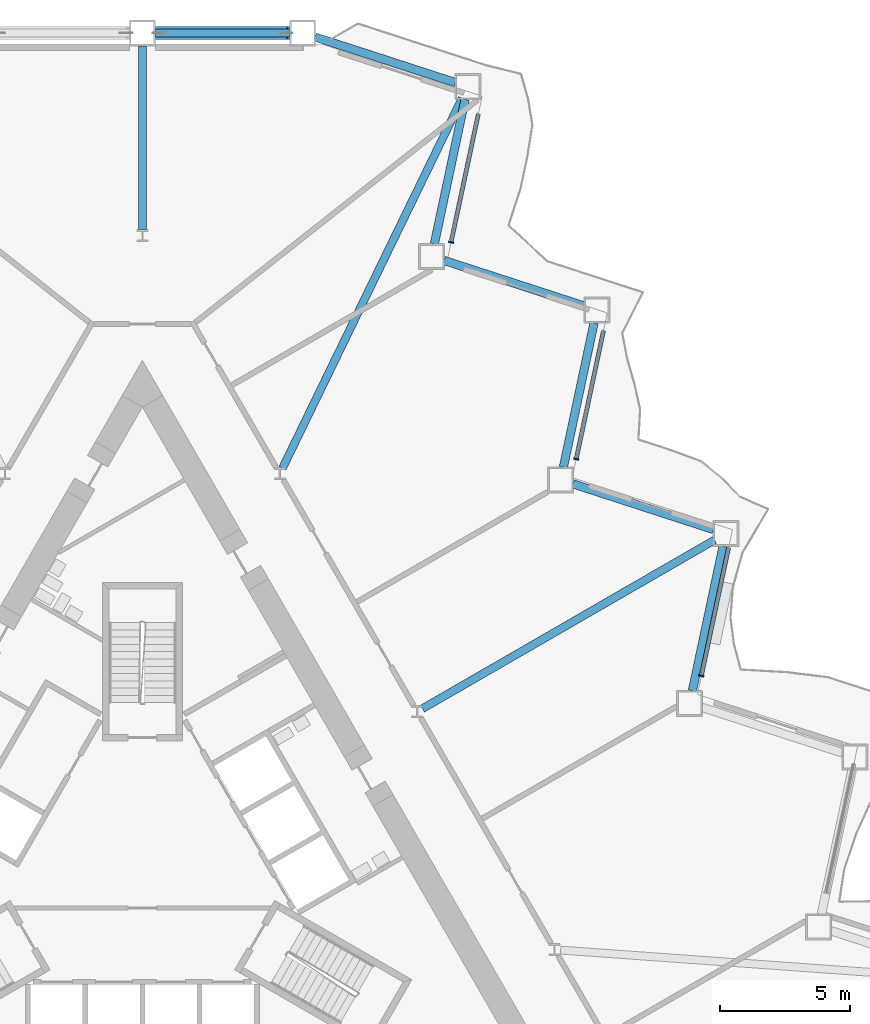
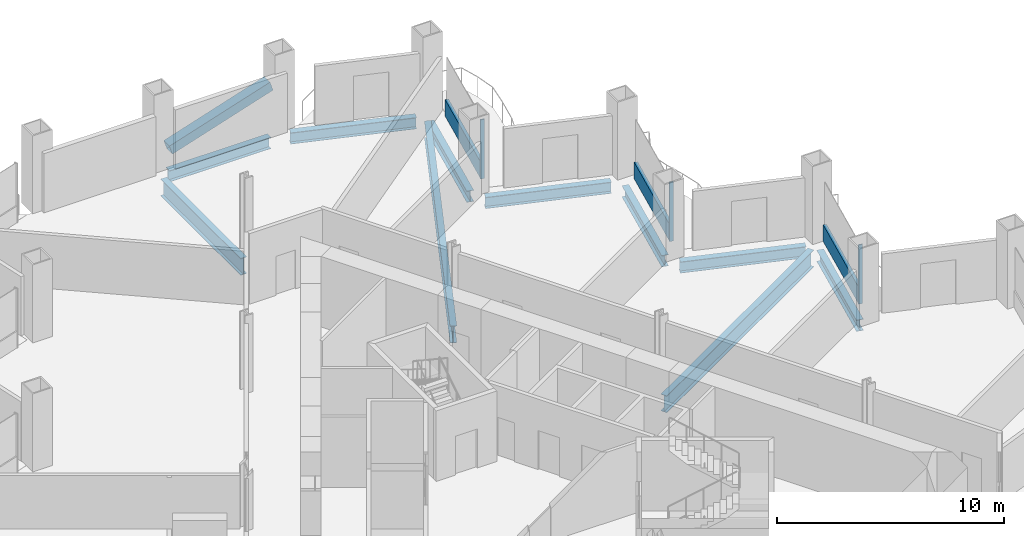
# One storey, part 7 of 20: 10 beams, 7 members, 3 elements without a shape of their own.
"""IFC4 building model written with IfcOpenShell, lengths in metres."""

from ifc_helpers import new_model, si_unit, direction, frame, origin, origin_2d, place, context, subcontext, project, spatial, rectangle, hollow_rectangle, i_section, extrude, material, layer, layer_set, material_profile, profile_set, type_object, element, aggregate, save


model = new_model("IFC4")

# Units and contexts
model_context = context("Model", 3, precision=1e-05, world=origin(), true_north=direction((0.0, 1.0)))
body_context = subcontext(model_context, "Body", "Model", "MODEL_VIEW")
ifc_project = project(units=[si_unit("LENGTHUNIT", "METRE"), si_unit("AREAUNIT", "SQUARE_METRE"), si_unit("VOLUMEUNIT", "CUBIC_METRE"), si_unit("PLANEANGLEUNIT", "RADIAN"), si_unit("MASSUNIT", "GRAM", prefix="KILO")], contexts=[model_context])

# Site, building, storey
site_placement = place(None, origin())
site = spatial("IfcSite", under=ifc_project, at=site_placement, CompositionType="ELEMENT")
building_placement = place(site_placement, origin())
building = spatial("IfcBuilding", under=site, at=building_placement, Name="Cormorant Prow Tower", CompositionType="ELEMENT")
storey_placement = place(building_placement, frame((0.0, 0.0, 38.39990234375)))
storey = spatial("IfcBuildingStorey", under=building, at=storey_placement, Name="L07", CompositionType="ELEMENT", Elevation=38.39990234375)

# Member
ifc_material_1 = material(Name="Structural steel ASTM A500 Gr C", Category="steel")
ifc_material_profile_1 = material_profile(ifc_material_1, hollow_rectangle(XDim=0.508056640625, YDim=0.508056640625, WallThickness=0.014892578125, at=origin_2d()), Name="HSS20x20x5/8")
ifc_profile_set_1 = profile_set([ifc_material_profile_1], Name="Structural steel ASTM A500 Gr C")
member_type_1 = type_object("IfcMemberType", Name="Chamfer brace HSS20x20x5/8", PredefinedType="BRACE", material=ifc_profile_set_1)
member_1_placement = place(storey_placement, frame((0.518798828125, 32.233642578125, 0.767333984375), z_axis=(0.951761092368, 0.0, 0.306840061033), x_axis=(0.0, 1.0, 0.0)))
element("IfcMember", 1, at=member_1_placement, inside=storey, type_object=member_type_1, Name="Chamfer brace BR1 at N00 L07", PredefinedType="BRACE", context=body_context, shape_type="SweptSolid", body=[
    extrude(hollow_rectangle(XDim=0.508056640625, YDim=0.508056640625, WallThickness=0.014892578125, at=origin_2d()), origin(), (0.0, 0.0, 1.0), 5.39208984375),
])

# Curtain wall, member
ifc_material_2 = material(Name="Aluminium 6063-T6", Category="aluminium")
ifc_layer = layer(ifc_material_2, 0.199951171875)
ifc_layer_set = layer_set([ifc_layer], Name="Aluminium 6063-T6")
curtain_wall_type = type_object("IfcCurtainWallType", Name="Office unitised curtain wall 200", PredefinedType="NOTDEFINED", material=ifc_layer_set)
curtain_wall_1_placement = place(storey_placement, origin())
curtain_wall_1 = element("IfcCurtainWall", 2, at=curtain_wall_1_placement, inside=storey, type_object=curtain_wall_type, Name="Office curtain wall ENE04", PredefinedType="NOTDEFINED")
ifc_material_3 = material(Name="Aluminium 6063-T6", Category="aluminium")
ifc_material_profile_2 = material_profile(ifc_material_3, rectangle(XDim=0.199951171875, YDim=0.06005859375, at=origin_2d()), Name="Office mullion 60x200")
ifc_profile_set_2 = profile_set([ifc_material_profile_2], Name="Aluminium 6063-T6")
member_type_2 = type_object("IfcMemberType", Name="Office mullion 60x200", PredefinedType="MULLION", material=ifc_profile_set_2)
member_2_placement = place(storey_placement, frame((21.517333984375, 7.4892578125, 0.0), z_axis=(0.0, 0.0, 1.0), x_axis=(-0.978147617041, 0.207911614097, 0.0)))
member_2 = element("IfcMember", 3, at=member_2_placement, type_object=member_type_2, Name="Office mullion ENE04", PredefinedType="MULLION", context=body_context, shape_type="SweptSolid", body=[
    extrude(rectangle(XDim=0.199951171875, YDim=0.06005859375, at=origin_2d()), origin(), (0.0, 0.0, 1.0), 3.18896484375),
])

curtain_wall_2_placement = place(storey_placement, origin())
curtain_wall_2 = element("IfcCurtainWall", 4, at=curtain_wall_2_placement, inside=storey, type_object=curtain_wall_type, Name="Office curtain wall ENE06", PredefinedType="NOTDEFINED")
member_3_placement = place(storey_placement, frame((16.69970703125, 15.83349609375, 0.0), z_axis=(0.0, 0.0, 1.0), x_axis=(-0.978147585671, 0.207911761683, 0.0)))
member_3 = element("IfcMember", 5, at=member_3_placement, type_object=member_type_2, Name="Office mullion ENE06", PredefinedType="MULLION", context=body_context, shape_type="SweptSolid", body=[
    extrude(rectangle(XDim=0.199951171875, YDim=0.06005859375, at=origin_2d()), origin(), (0.0, 0.0, 1.0), 3.18896484375),
])

curtain_wall_3_placement = place(storey_placement, origin())
curtain_wall_3 = element("IfcCurtainWall", 6, at=curtain_wall_3_placement, inside=storey, type_object=curtain_wall_type, Name="Office curtain wall ENE08", PredefinedType="NOTDEFINED")
member_4_placement = place(storey_placement, frame((11.882080078125, 24.177734375, 0.0), z_axis=(0.0, 0.0, 1.0), x_axis=(-0.978147585671, 0.207911761683, 0.0)))
member_4 = element("IfcMember", 7, at=member_4_placement, type_object=member_type_2, Name="Office mullion ENE08", PredefinedType="MULLION", context=body_context, shape_type="SweptSolid", body=[
    extrude(rectangle(XDim=0.199951171875, YDim=0.06005859375, at=origin_2d()), origin(), (0.0, 0.0, 1.0), 3.18896484375),
])

# Member
ifc_material_4 = material(Name="Terracotta", Category="masonry")
ifc_material_profile_3 = material_profile(ifc_material_4, rectangle(XDim=0.159912109375, YDim=0.89990234375, at=origin_2d()), Name="Office terracotta spandrel rail 160x900")
ifc_profile_set_3 = profile_set([ifc_material_profile_3], Name="Terracotta")
member_type_3 = type_object("IfcMemberType", Name="Office terracotta spandrel rail 160x900", PredefinedType="USERDEFINED", material=ifc_profile_set_3)
member_5_placement = place(storey_placement, frame((21.5234375, 7.5185546875, 0.4501953125), z_axis=(0.207950135672, 0.978139428238, 0.0), x_axis=(-0.978139428238, 0.207950135672, 0.0)))
member_5 = element("IfcMember", 8, at=member_5_placement, type_object=member_type_3, Name="Office spandrel rail ENE04", ObjectType="TRANSOM", PredefinedType="USERDEFINED", context=body_context, shape_type="SweptSolid", body=[
    extrude(rectangle(XDim=0.159912109375, YDim=0.89990234375, at=origin_2d()), origin(), (0.0, 0.0, 1.0), 5.0166015625),
])

aggregate(curtain_wall_1, [member_2, member_5])

member_6_placement = place(storey_placement, frame((16.7060546875, 15.86279296875, 0.4501953125), z_axis=(0.20790357337, 0.978149326115, 0.0), x_axis=(-0.978149326115, 0.20790357337, 0.0)))
member_6 = element("IfcMember", 9, at=member_6_placement, type_object=member_type_3, Name="Office spandrel rail ENE06", ObjectType="TRANSOM", PredefinedType="USERDEFINED", context=body_context, shape_type="SweptSolid", body=[
    extrude(rectangle(XDim=0.159912109375, YDim=0.89990234375, at=origin_2d()), origin(), (0.0, 0.0, 1.0), 5.0166015625),
])

aggregate(curtain_wall_2, [member_3, member_6])

member_7_placement = place(storey_placement, frame((11.888427734375, 24.20703125, 0.4501953125), z_axis=(0.20790357337, 0.978149326115, 0.0), x_axis=(-0.978149326115, 0.20790357337, 0.0)))
member_7 = element("IfcMember", 10, at=member_7_placement, type_object=member_type_3, Name="Office spandrel rail ENE08", ObjectType="TRANSOM", PredefinedType="USERDEFINED", context=body_context, shape_type="SweptSolid", body=[
    extrude(rectangle(XDim=0.159912109375, YDim=0.89990234375, at=origin_2d()), origin(), (0.0, 0.0, 1.0), 5.0166015625),
])

aggregate(curtain_wall_3, [member_4, member_7])

# Beams
ifc_material_5 = material(Name="Structural steel ASTM A992 Gr 50", Category="steel")
ifc_material_profile_4 = material_profile(ifc_material_5, i_section(OverallWidth=0.3046875, OverallDepth=0.914794921875, WebThickness=0.0166015625, FlangeThickness=0.02587890625, at=origin_2d()), Name="W36x160")
ifc_profile_set_4 = profile_set([ifc_material_profile_4], Name="Structural steel ASTM A992 Gr 50")
beam_type_1 = type_object("IfcBeamType", Name="Radial floor beam W36x160", PredefinedType="BEAM", material=ifc_profile_set_4)
beam_1_placement = place(storey_placement, frame((0.0, 24.662109375, -0.857177734375), z_axis=(0.0, 1.0, 0.0), x_axis=(-1.0, 0.0, 0.0)))
element("IfcBeam", 11, at=beam_1_placement, inside=storey, type_object=beam_type_1, Name="Radial floor beam FB1 1 L07", PredefinedType="BEAM", context=body_context, shape_type="SweptSolid", body=[
    extrude(i_section(OverallWidth=0.3046875, OverallDepth=0.914794921875, WebThickness=0.0166015625, FlangeThickness=0.02587890625, at=origin_2d()), origin(), (0.0, 0.0, 1.0), 7.071533203125),
])
beam_2_placement = place(storey_placement, frame((10.779541015625, 6.2236328125, -0.857177734375), z_axis=(0.866030278318, 0.499991556966, 0.0), x_axis=(-0.499991556966, 0.866030278318, 0.0)))
element("IfcBeam", 12, at=beam_2_placement, inside=storey, type_object=beam_type_1, Name="Radial floor beam FB1 11 L07", PredefinedType="BEAM", context=body_context, shape_type="SweptSolid", body=[
    extrude(i_section(OverallWidth=0.3046875, OverallDepth=0.914794921875, WebThickness=0.0166015625, FlangeThickness=0.02587890625, at=origin_2d()), origin(), (0.0, 0.0, 1.0), 12.984130859375),
])
beam_3_placement = place(storey_placement, frame((5.390625, 15.4775390625, -0.857177734375), z_axis=(0.436839436813, 0.899539496879, 0.0), x_axis=(-0.899539496879, 0.436839436813, 0.0)))
element("IfcBeam", 13, at=beam_3_placement, inside=storey, type_object=beam_type_1, Name="Radial floor beam FB1 12 L07", PredefinedType="BEAM", context=body_context, shape_type="SweptSolid", body=[
    extrude(i_section(OverallWidth=0.3046875, OverallDepth=0.914794921875, WebThickness=0.0166015625, FlangeThickness=0.02587890625, at=origin_2d()), origin(), (0.0, 0.0, 1.0), 15.83203125),
])
ifc_material_6 = material(Name="Structural steel ASTM A992 Gr 50", Category="steel")
ifc_material_profile_5 = material_profile(ifc_material_6, i_section(OverallWidth=0.32373046875, OverallDepth=0.611083984375, WebThickness=0.0126953125, FlangeThickness=0.01904296875, at=origin_2d()), Name="W24x104")
ifc_profile_set_5 = profile_set([ifc_material_profile_5], Name="Structural steel ASTM A992 Gr 50")
beam_type_2 = type_object("IfcBeamType", Name="Spandrel beam W24x104", PredefinedType="SPANDREL", material=ifc_profile_set_5)
beam_4_placement = place(storey_placement, frame((21.171875, 6.918212890625, -0.70556640625), z_axis=(0.207900376723, 0.97815000555, 0.0), x_axis=(-0.97815000555, 0.207900376723, 0.0)))
element("IfcBeam", 14, at=beam_4_placement, inside=storey, type_object=beam_type_2, Name="Spandrel beam SB1 ENE04-ENE05 L07", PredefinedType="SPANDREL", context=body_context, shape_type="SweptSolid", body=[
    extrude(i_section(OverallWidth=0.32373046875, OverallDepth=0.611083984375, WebThickness=0.0126953125, FlangeThickness=0.01904296875, at=origin_2d()), origin(), (0.0, 0.0, 1.0), 5.6826171875),
])
beam_5_placement = place(storey_placement, frame((21.981689453125, 13.1201171875, -0.70556640625), z_axis=(-0.951049222751, 0.309039440696, 0.0), x_axis=(-0.309039440696, -0.951049222751, 0.0)))
element("IfcBeam", 15, at=beam_5_placement, inside=storey, type_object=beam_type_2, Name="Spandrel beam SB1 ENE05-ENE06 L07", PredefinedType="SPANDREL", context=body_context, shape_type="SweptSolid", body=[
    extrude(i_section(OverallWidth=0.32373046875, OverallDepth=0.611083984375, WebThickness=0.0126953125, FlangeThickness=0.01904296875, at=origin_2d()), origin(), (0.0, 0.0, 1.0), 5.682373046875),
])
beam_6_placement = place(storey_placement, frame((16.205810546875, 15.519775390625, -0.70556640625), z_axis=(0.207900376723, 0.97815000555, 0.0), x_axis=(-0.97815000555, 0.207900376723, 0.0)))
element("IfcBeam", 16, at=beam_6_placement, inside=storey, type_object=beam_type_2, Name="Spandrel beam SB1 ENE06-ENE07 L07", PredefinedType="SPANDREL", context=body_context, shape_type="SweptSolid", body=[
    extrude(i_section(OverallWidth=0.32373046875, OverallDepth=0.611083984375, WebThickness=0.0126953125, FlangeThickness=0.01904296875, at=origin_2d()), origin(), (0.0, 0.0, 1.0), 5.6826171875),
])
beam_7_placement = place(storey_placement, frame((17.015625, 21.7216796875, -0.70556640625), z_axis=(-0.951049222751, 0.309039440696, 0.0), x_axis=(-0.309039440696, -0.951049222751, 0.0)))
element("IfcBeam", 17, at=beam_7_placement, inside=storey, type_object=beam_type_2, Name="Spandrel beam SB1 ENE07-ENE08 L07", PredefinedType="SPANDREL", context=body_context, shape_type="SweptSolid", body=[
    extrude(i_section(OverallWidth=0.32373046875, OverallDepth=0.611083984375, WebThickness=0.0126953125, FlangeThickness=0.01904296875, at=origin_2d()), origin(), (0.0, 0.0, 1.0), 5.682373046875),
])
beam_8_placement = place(storey_placement, frame((11.23974609375, 24.121337890625, -0.70556640625), z_axis=(0.207900376723, 0.97815000555, 0.0), x_axis=(-0.97815000555, 0.207900376723, 0.0)))
element("IfcBeam", 18, at=beam_8_placement, inside=storey, type_object=beam_type_2, Name="Spandrel beam SB1 ENE08-ENE09 L07", PredefinedType="SPANDREL", context=body_context, shape_type="SweptSolid", body=[
    extrude(i_section(OverallWidth=0.32373046875, OverallDepth=0.611083984375, WebThickness=0.0126953125, FlangeThickness=0.01904296875, at=origin_2d()), origin(), (0.0, 0.0, 1.0), 5.6826171875),
])
beam_9_placement = place(storey_placement, frame((12.049560546875, 30.3232421875, -0.70556640625), z_axis=(-0.951061849722, 0.309000579292, 0.0), x_axis=(-0.309000579292, -0.951061849722, 0.0)))
element("IfcBeam", 19, at=beam_9_placement, inside=storey, type_object=beam_type_2, Name="Spandrel beam SB1 ENE09-N00 L07", PredefinedType="SPANDREL", context=body_context, shape_type="SweptSolid", body=[
    extrude(i_section(OverallWidth=0.32373046875, OverallDepth=0.611083984375, WebThickness=0.0126953125, FlangeThickness=0.01904296875, at=origin_2d()), origin(), (0.0, 0.0, 1.0), 5.682373046875),
])
beam_10_placement = place(storey_placement, frame((5.669677734375, 32.233642578125, -0.70556640625), z_axis=(-1.0, 0.0, 0.0), x_axis=(0.0, -1.0, 0.0)))
element("IfcBeam", 20, at=beam_10_placement, inside=storey, type_object=beam_type_2, Name="Spandrel beam SB1 N00-N01 L07", PredefinedType="SPANDREL", context=body_context, shape_type="SweptSolid", body=[
    extrude(i_section(OverallWidth=0.32373046875, OverallDepth=0.611083984375, WebThickness=0.0126953125, FlangeThickness=0.01904296875, at=origin_2d()), origin(), (0.0, 0.0, 1.0), 5.169677734375),
])

save(model, "model.ifc")
